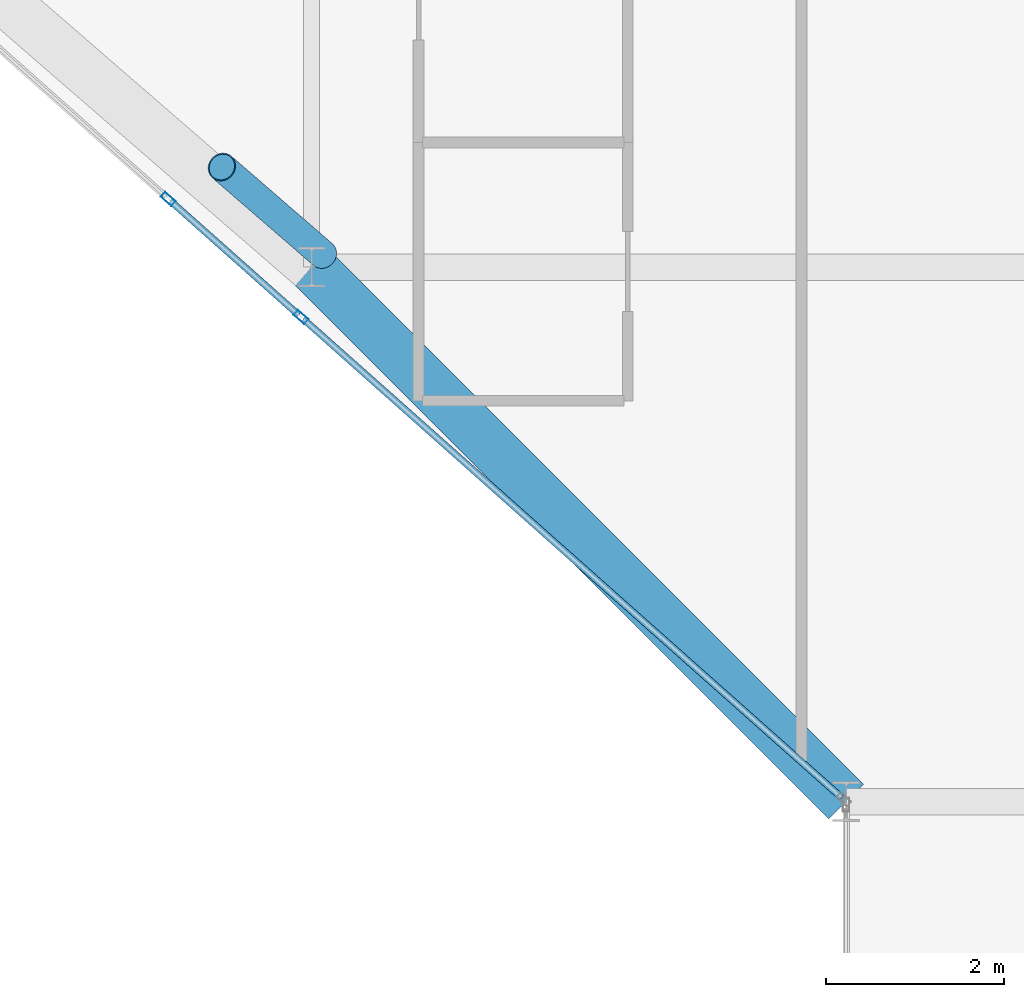
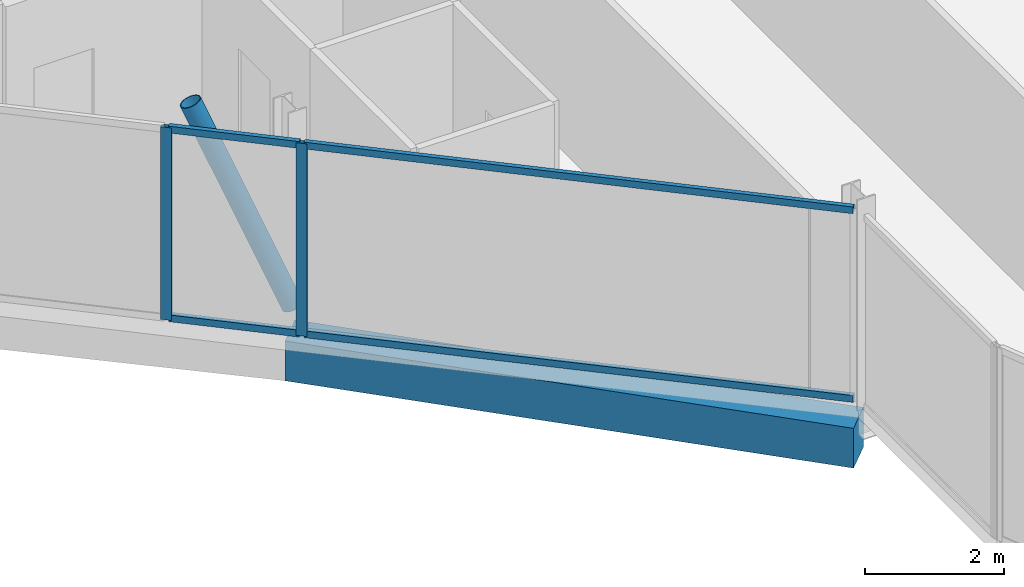
# One storey, part 4 of 29: 7 members, 1 beam, 2 elements without a shape of their own.
"""IFC4 building model written with IfcOpenShell, lengths in metres."""

from ifc_helpers import new_model, si_unit, direction, frame, origin, origin_2d, place, context, subcontext, project, spatial, rectangle, hollow_rectangle, hollow_circle, extrude, material, layer, layer_set, material_profile, profile_set, type_object, element, aggregate, save


model = new_model("IFC4")

# Units and contexts
model_context = context("Model", 3, precision=1e-05, world=origin(), true_north=direction((0.0, 1.0)))
body_context = subcontext(model_context, "Body", "Model", "MODEL_VIEW")
ifc_project = project(units=[si_unit("LENGTHUNIT", "METRE"), si_unit("AREAUNIT", "SQUARE_METRE"), si_unit("VOLUMEUNIT", "CUBIC_METRE"), si_unit("PLANEANGLEUNIT", "RADIAN"), si_unit("MASSUNIT", "GRAM", prefix="KILO")], contexts=[model_context])

# Site, building, storey
site_placement = place(None, origin())
site = spatial("IfcSite", under=ifc_project, at=site_placement, CompositionType="ELEMENT")
building_placement = place(site_placement, origin())
building = spatial("IfcBuilding", under=site, at=building_placement, Name="Keshet Zoharim Tower", CompositionType="ELEMENT")
storey_placement = place(building_placement, frame((0.0, 0.0, 199.5)))
storey = spatial("IfcBuildingStorey", under=building, at=storey_placement, Name="L49", CompositionType="ELEMENT", Elevation=199.5)

# Beam
ifc_material_1 = material(Name="Concrete C50/60", Category="concrete")
ifc_material_profile_1 = material_profile(ifc_material_1, rectangle(XDim=0.550048828125, YDim=0.699951171875, at=origin_2d()), Name="RC700x550")
ifc_profile_set_1 = profile_set([ifc_material_profile_1], Name="Concrete C50/60")
beam_type = type_object("IfcBeamType", Name="BM-SPN-700", PredefinedType="SPANDREL", material=ifc_profile_set_1)
beam_placement = place(storey_placement, frame((21.0, 6.699951171875, -0.659912109375), z_axis=(-0.707106781187, 0.707106781187, 0.0), x_axis=(-0.707106781187, -0.707106781187, 0.0)))
element("IfcBeam", 1, at=beam_placement, inside=storey, type_object=beam_type, Name="L49 Perimeter Spandrel Beam 01", PredefinedType="SPANDREL", context=body_context, shape_type="SweptSolid", body=[
    extrude(rectangle(XDim=0.550048828125, YDim=0.699951171875, at=origin_2d()), origin(), (0.0, 0.0, 1.0), 8.4853515625),
])

# Curtain wall, member
ifc_material_2 = material(Name="Aluminium 6063-T6", Category="aluminium")
ifc_layer = layer(ifc_material_2, 0.139892578125)
ifc_layer_set = layer_set([ifc_layer], Name="Aluminium 6063-T6")
curtain_wall_type = type_object("IfcCurtainWallType", Name="CW-SYS-05", PredefinedType="NOTDEFINED", material=ifc_layer_set)
curtain_wall_1_placement = place(storey_placement, origin())
curtain_wall_1 = element("IfcCurtainWall", 2, at=curtain_wall_1_placement, inside=storey, type_object=curtain_wall_type, Name="L49 Unitised Curtain Wall 10", PredefinedType="NOTDEFINED")
ifc_material_profile_2 = material_profile(ifc_material_2, hollow_rectangle(XDim=0.074951171875, YDim=0.159912109375, WallThickness=0.00390625, at=origin_2d()), Name="MUL-75x160")
ifc_profile_set_2 = profile_set([ifc_material_profile_2], Name="Aluminium 6063-T6")
member_type_1 = type_object("IfcMemberType", Name="CWM-M15", PredefinedType="MULLION", material=ifc_profile_set_2)
member_1_placement = place(storey_placement, frame((14.88037109375, 12.1396484375, 0.0), z_axis=(0.0, 0.0, 1.0), x_axis=(-0.664367613066, -0.74740596379, 0.0)))
member_1 = element("IfcMember", 3, at=member_1_placement, type_object=member_type_1, Name="CW-05 mullion 2", PredefinedType="MULLION", context=body_context, shape_type="SweptSolid", body=[
    extrude(hollow_rectangle(XDim=0.074951171875, YDim=0.159912109375, WallThickness=0.00390625, at=origin_2d()), origin(), (0.0, 0.0, 1.0), 3.389892578125),
])

curtain_wall_2_placement = place(storey_placement, origin())
curtain_wall_2 = element("IfcCurtainWall", 4, at=curtain_wall_2_placement, inside=storey, type_object=curtain_wall_type, Name="L49 Unitised Curtain Wall 10 Part 2", PredefinedType="NOTDEFINED")
member_2_placement = place(storey_placement, frame((13.388427734375, 13.4658203125, 0.0), z_axis=(0.0, 0.0, 1.0), x_axis=(-0.664329634314, -0.747439721297, 0.0)))
member_2 = element("IfcMember", 5, at=member_2_placement, type_object=member_type_1, Name="CW-05 mullion 2", PredefinedType="MULLION", context=body_context, shape_type="SweptSolid", body=[
    extrude(hollow_rectangle(XDim=0.074951171875, YDim=0.159912109375, WallThickness=0.00390625, at=origin_2d()), origin(), (0.0, 0.0, 1.0), 3.389892578125),
])

# Member
ifc_material_profile_3 = material_profile(ifc_material_2, hollow_rectangle(XDim=0.074951171875, YDim=0.1201171875, WallThickness=0.00390625, at=origin_2d()), Name="TRN-75x120")
ifc_profile_set_3 = profile_set([ifc_material_profile_3], Name="Aluminium 6063-T6")
member_type_2 = type_object("IfcMemberType", Name="CWT-T12", PredefinedType="USERDEFINED", material=ifc_profile_set_3)
member_3_placement = place(storey_placement, frame((20.94775390625, 6.74658203125, 0.034912109375), z_axis=(-0.747404319135, 0.664369463279, 0.0), x_axis=(-0.664369463279, -0.747404319135, 0.0)))
member_3 = element("IfcMember", 6, at=member_3_placement, type_object=member_type_2, Name="CW-05 transom 1.1", ObjectType="TRANSOM", PredefinedType="USERDEFINED", context=body_context, shape_type="SweptSolid", body=[
    extrude(hollow_rectangle(XDim=0.074951171875, YDim=0.1201171875, WallThickness=0.00390625, at=origin_2d()), origin(), (0.0, 0.0, 1.0), 8.082763671875),
])

member_4_placement = place(storey_placement, frame((20.94775390625, 6.74658203125, 3.35498046875), z_axis=(-0.747404319135, 0.664369463279, 0.0), x_axis=(-0.664369463279, -0.747404319135, 0.0)))
member_4 = element("IfcMember", 7, at=member_4_placement, type_object=member_type_2, Name="CW-05 transom 1.2", ObjectType="TRANSOM", PredefinedType="USERDEFINED", context=body_context, shape_type="SweptSolid", body=[
    extrude(hollow_rectangle(XDim=0.074951171875, YDim=0.1201171875, WallThickness=0.00390625, at=origin_2d()), origin(), (0.0, 0.0, 1.0), 8.082763671875),
])

aggregate(curtain_wall_1, [member_1, member_3, member_4])

member_5_placement = place(storey_placement, frame((14.854248046875, 12.162841796875, 0.034912109375), z_axis=(-0.747458269264, 0.664308765341, 0.0), x_axis=(-0.664308765341, -0.747458269264, 0.0)))
member_5 = element("IfcMember", 8, at=member_5_placement, type_object=member_type_2, Name="CW-05 transom 1.1", ObjectType="TRANSOM", PredefinedType="USERDEFINED", context=body_context, shape_type="SweptSolid", body=[
    extrude(hollow_rectangle(XDim=0.074951171875, YDim=0.1201171875, WallThickness=0.00390625, at=origin_2d()), origin(), (0.0, 0.0, 1.0), 1.926025390625),
])

member_6_placement = place(storey_placement, frame((14.854248046875, 12.162841796875, 3.35498046875), z_axis=(-0.747458269264, 0.664308765341, 0.0), x_axis=(-0.664308765341, -0.747458269264, 0.0)))
member_6 = element("IfcMember", 9, at=member_6_placement, type_object=member_type_2, Name="CW-05 transom 1.2", ObjectType="TRANSOM", PredefinedType="USERDEFINED", context=body_context, shape_type="SweptSolid", body=[
    extrude(hollow_rectangle(XDim=0.074951171875, YDim=0.1201171875, WallThickness=0.00390625, at=origin_2d()), origin(), (0.0, 0.0, 1.0), 1.926025390625),
])

aggregate(curtain_wall_2, [member_2, member_5, member_6])

ifc_material_3 = material(Name="Steel S355", Category="steel")
ifc_material_profile_4 = material_profile(ifc_material_3, hollow_circle(Radius=0.161865234375, WallThickness=0.012451171875, at=origin_2d()), Name="CHS323x12.5")
ifc_profile_set_4 = profile_set([ifc_material_profile_4], Name="Steel S355")
member_type_3 = type_object("IfcMemberType", Name="MB-BR-C323", PredefinedType="BRACE", material=ifc_profile_set_4)
member_7_placement = place(storey_placement, frame((15.1259765625, 12.842041015625, 0.0), z_axis=(-0.305919508672, 0.264888754334, 0.914465528077), x_axis=(-0.654589683411, -0.755984355904, 0.0)))
element("IfcMember", 10, at=member_7_placement, inside=storey, type_object=member_type_3, Name="L49 Perimeter Tube Brace 01", PredefinedType="BRACE", context=body_context, shape_type="SweptSolid", body=[
    extrude(hollow_circle(Radius=0.161865234375, WallThickness=0.012451171875, at=origin_2d()), origin(), (0.0, 0.0, 1.0), 3.70703125),
])

save(model, "model.ifc")
